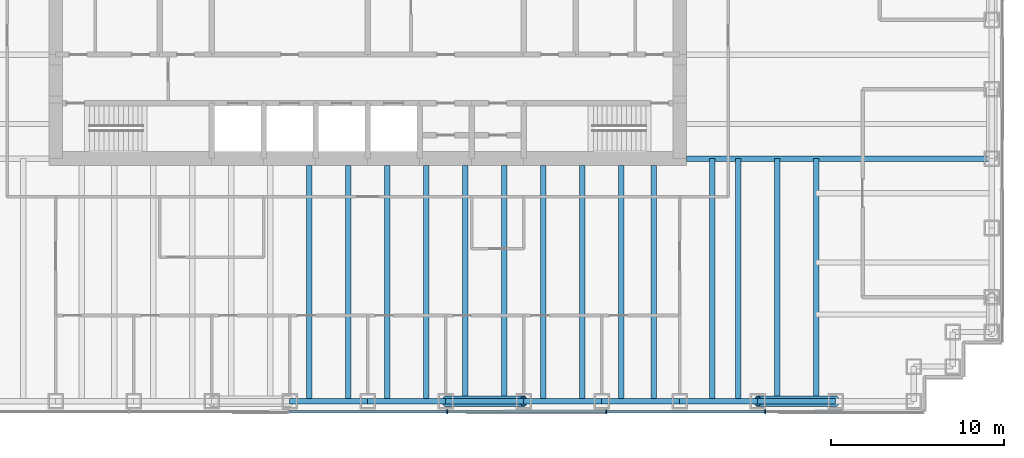
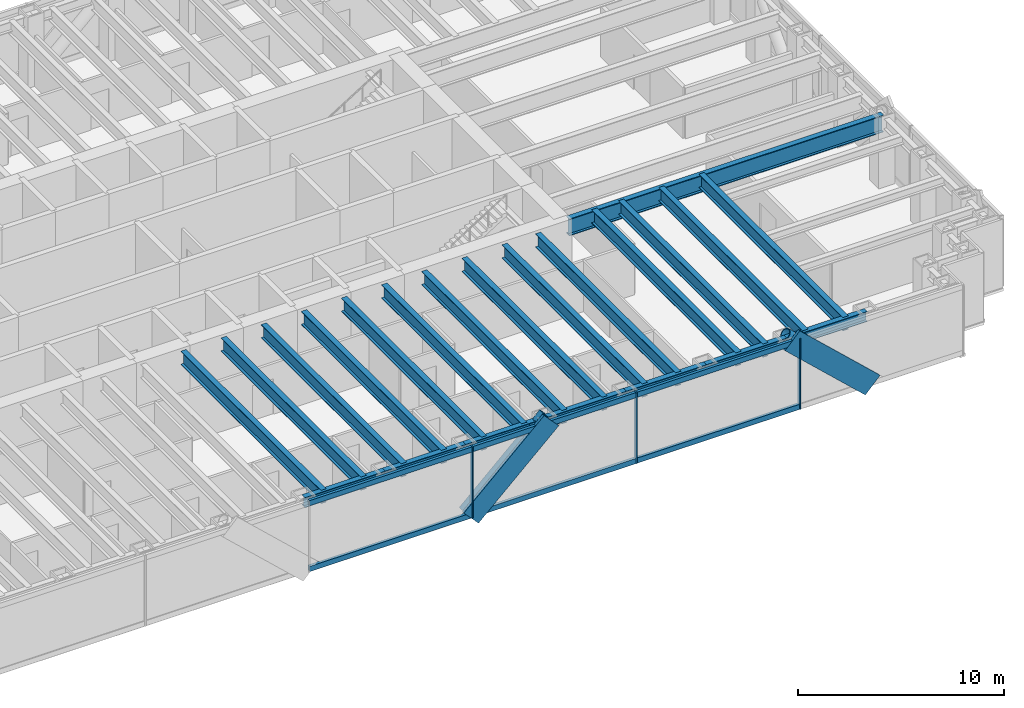
# One storey, part 4 of 16: 22 beams, 13 members, 1 element without a shape of its own.
"""IFC4 building model written with IfcOpenShell, lengths in metres."""

from ifc_helpers import new_model, si_unit, direction, frame, origin, origin_2d, place, context, subcontext, project, spatial, rectangle, hollow_circle, i_section, extrude, material, material_profile, profile_set, type_object, element, aggregate, save


model = new_model("IFC4")

# Units and contexts
model_context = context("Model", 3, precision=1e-05, world=origin(), true_north=direction((0.0, 1.0)))
body_context = subcontext(model_context, "Body", "Model", "MODEL_VIEW")
ifc_project = project(units=[si_unit("LENGTHUNIT", "METRE"), si_unit("AREAUNIT", "SQUARE_METRE"), si_unit("VOLUMEUNIT", "CUBIC_METRE"), si_unit("PLANEANGLEUNIT", "RADIAN"), si_unit("MASSUNIT", "GRAM", prefix="KILO")], contexts=[model_context])

# Site, building, storey
site_placement = place(None, origin())
site = spatial("IfcSite", under=ifc_project, at=site_placement, CompositionType="ELEMENT")
building_placement = place(site_placement, origin())
building = spatial("IfcBuilding", under=site, at=building_placement, Name="Rheinbord Bourse Tower", CompositionType="ELEMENT")
storey_placement = place(building_placement, frame((0.0, 0.0, 219.39990234375)))
storey = spatial("IfcBuildingStorey", under=building, at=storey_placement, Name="L49", CompositionType="ELEMENT", Elevation=219.39990234375)

# Curtain wall, members
ifc_material_1 = material(Name="Dark glass and black aluminium", Category="aluminium")
curtain_wall_type = type_object("IfcCurtainWallType", Name="CW2 DARK GLASS CURTAIN WALL", PredefinedType="USERDEFINED", material=ifc_material_1)
curtain_wall_placement = place(storey_placement, origin())
curtain_wall = element("IfcCurtainWall", 1, at=curtain_wall_placement, inside=storey, type_object=curtain_wall_type, Name="Curtain wall CW2 S L49", ObjectType="UNITISED CURTAIN WALL", PredefinedType="USERDEFINED")
ifc_material_2 = material(Name="Black anodised aluminium", Category="aluminium")
ifc_material_profile_1 = material_profile(ifc_material_2, rectangle(XDim=0.159912109375, YDim=1.2099609375, at=origin_2d()), Name="CW2 DIAGONAL MULLION 1210x160")
ifc_profile_set_1 = profile_set([ifc_material_profile_1], Name="Black anodised aluminium")
member_type_1 = type_object("IfcMemberType", Name="CW2 BLACK DIAGONAL MULLION", PredefinedType="USERDEFINED", material=ifc_profile_set_1)
member_1_placement = place(storey_placement, frame((40.5, 1.39990234375, 0.0), z_axis=(0.731039441158, 0.0, 0.682335207557), x_axis=(0.0, 1.0, 0.0)))
member_1 = element("IfcMember", 2, at=member_1_placement, type_object=member_type_1, Name="CW2 diagonal mullion b", ObjectType="DIAGONAL MULLION", PredefinedType="USERDEFINED", context=body_context, shape_type="SweptSolid", body=[
    extrude(rectangle(XDim=0.159912109375, YDim=1.2099609375, at=origin_2d()), origin(), (0.0, 0.0, 1.0), 6.155517578125),
])
member_2_placement = place(storey_placement, frame((63.0, 1.39990234375, 0.0), z_axis=(-0.731039441158, 0.0, 0.682335207557), x_axis=(0.0, -1.0, 0.0)))
member_2 = element("IfcMember", 3, at=member_2_placement, type_object=member_type_1, Name="CW2 diagonal mullion d", ObjectType="DIAGONAL MULLION", PredefinedType="USERDEFINED", context=body_context, shape_type="SweptSolid", body=[
    extrude(rectangle(XDim=0.159912109375, YDim=1.2099609375, at=origin_2d()), origin(), (0.0, 0.0, 1.0), 6.155517578125),
])
ifc_material_3 = material(Name="Black anodised aluminium", Category="aluminium")
ifc_material_profile_2 = material_profile(ifc_material_3, rectangle(XDim=0.219970703125, YDim=0.070068359375, at=origin_2d()), Name="CW2 MULLION 70x220")
ifc_profile_set_2 = profile_set([ifc_material_profile_2], Name="Black anodised aluminium")
member_type_2 = type_object("IfcMemberType", Name="CW2 BLACK MULLION", PredefinedType="MULLION", material=ifc_profile_set_2)
member_3_placement = place(storey_placement, frame((40.585693359375, 1.39990234375, 0.0), z_axis=(0.0, 0.0, 1.0), x_axis=(0.0, 1.0, 0.0)))
member_3 = element("IfcMember", 4, at=member_3_placement, type_object=member_type_2, Name="CW2 mullion 5", PredefinedType="MULLION", context=body_context, shape_type="SweptSolid", body=[
    extrude(rectangle(XDim=0.219970703125, YDim=0.070068359375, at=origin_2d()), origin(), (0.0, 0.0, 1.0), 4.2001953125),
])
member_4_placement = place(storey_placement, frame((49.757080078125, 1.39990234375, 0.0), z_axis=(0.0, 0.0, 1.0), x_axis=(0.0, 1.0, 0.0)))
member_4 = element("IfcMember", 5, at=member_4_placement, type_object=member_type_2, Name="CW2 mullion 6", PredefinedType="MULLION", context=body_context, shape_type="SweptSolid", body=[
    extrude(rectangle(XDim=0.219970703125, YDim=0.070068359375, at=origin_2d()), origin(), (0.0, 0.0, 1.0), 4.2001953125),
])
member_5_placement = place(storey_placement, frame((58.928466796875, 1.39990234375, 0.0), z_axis=(0.0, 0.0, 1.0), x_axis=(0.0, 1.0, 0.0)))
member_5 = element("IfcMember", 6, at=member_5_placement, type_object=member_type_2, Name="CW2 mullion 7", PredefinedType="MULLION", context=body_context, shape_type="SweptSolid", body=[
    extrude(rectangle(XDim=0.219970703125, YDim=0.070068359375, at=origin_2d()), origin(), (0.0, 0.0, 1.0), 4.2001953125),
])
ifc_material_4 = material(Name="Black anodised aluminium", Category="aluminium")
ifc_material_profile_3 = material_profile(ifc_material_4, rectangle(XDim=0.159912109375, YDim=0.300048828125, at=origin_2d()), Name="CW2 TRANSOM 300x160")
ifc_profile_set_3 = profile_set([ifc_material_profile_3], Name="Black anodised aluminium")
member_type_3 = type_object("IfcMemberType", Name="CW2 BLACK TRANSOM", PredefinedType="USERDEFINED", material=ifc_profile_set_3)
member_6_placement = place(storey_placement, frame((31.44921875, 1.39990234375, 0.150146484375), z_axis=(1.0, 0.0, 0.0), x_axis=(0.0, 1.0, 0.0)))
member_6 = element("IfcMember", 7, at=member_6_placement, type_object=member_type_3, Name="CW2 transom 4.1", ObjectType="TRANSOM", PredefinedType="USERDEFINED", context=body_context, shape_type="SweptSolid", body=[
    extrude(rectangle(XDim=0.159912109375, YDim=0.300048828125, at=origin_2d()), origin(), (0.0, 0.0, 1.0), 9.1015625),
])
member_7_placement = place(storey_placement, frame((31.44921875, 1.39990234375, 4.050048828125), z_axis=(1.0, 0.0, 0.0), x_axis=(0.0, 1.0, 0.0)))
member_7 = element("IfcMember", 8, at=member_7_placement, type_object=member_type_3, Name="CW2 transom 4.2", ObjectType="TRANSOM", PredefinedType="USERDEFINED", context=body_context, shape_type="SweptSolid", body=[
    extrude(rectangle(XDim=0.159912109375, YDim=0.300048828125, at=origin_2d()), origin(), (0.0, 0.0, 1.0), 9.1015625),
])
member_8_placement = place(storey_placement, frame((40.62060546875, 1.39990234375, 0.150146484375), z_axis=(1.0, 0.0, 0.0), x_axis=(0.0, 1.0, 0.0)))
member_8 = element("IfcMember", 9, at=member_8_placement, type_object=member_type_3, Name="CW2 transom 5.1", ObjectType="TRANSOM", PredefinedType="USERDEFINED", context=body_context, shape_type="SweptSolid", body=[
    extrude(rectangle(XDim=0.159912109375, YDim=0.300048828125, at=origin_2d()), origin(), (0.0, 0.0, 1.0), 9.1015625),
])
member_9_placement = place(storey_placement, frame((40.62060546875, 1.39990234375, 4.050048828125), z_axis=(1.0, 0.0, 0.0), x_axis=(0.0, 1.0, 0.0)))
member_9 = element("IfcMember", 10, at=member_9_placement, type_object=member_type_3, Name="CW2 transom 5.2", ObjectType="TRANSOM", PredefinedType="USERDEFINED", context=body_context, shape_type="SweptSolid", body=[
    extrude(rectangle(XDim=0.159912109375, YDim=0.300048828125, at=origin_2d()), origin(), (0.0, 0.0, 1.0), 9.1015625),
])
member_10_placement = place(storey_placement, frame((49.792236328125, 1.39990234375, 0.150146484375), z_axis=(1.0, 0.0, 0.0), x_axis=(0.0, 1.0, 0.0)))
member_10 = element("IfcMember", 11, at=member_10_placement, type_object=member_type_3, Name="CW2 transom 6.1", ObjectType="TRANSOM", PredefinedType="USERDEFINED", context=body_context, shape_type="SweptSolid", body=[
    extrude(rectangle(XDim=0.159912109375, YDim=0.300048828125, at=origin_2d()), origin(), (0.0, 0.0, 1.0), 9.101318359375),
])
member_11_placement = place(storey_placement, frame((49.792236328125, 1.39990234375, 4.050048828125), z_axis=(1.0, 0.0, 0.0), x_axis=(0.0, 1.0, 0.0)))
member_11 = element("IfcMember", 12, at=member_11_placement, type_object=member_type_3, Name="CW2 transom 6.2", ObjectType="TRANSOM", PredefinedType="USERDEFINED", context=body_context, shape_type="SweptSolid", body=[
    extrude(rectangle(XDim=0.159912109375, YDim=0.300048828125, at=origin_2d()), origin(), (0.0, 0.0, 1.0), 9.101318359375),
])
aggregate(curtain_wall, [member_3, member_4, member_5, member_6, member_7, member_8, member_9, member_10, member_11, member_1, member_2])

# Beams
ifc_material_5 = material(Name="Steel S460", Category="steel")
ifc_material_profile_4 = material_profile(ifc_material_5, i_section(OverallWidth=0.300048828125, OverallDepth=0.800048828125, WebThickness=0.017578125, FlangeThickness=0.032958984375, at=origin_2d()), Name="HEB 800")
ifc_profile_set_4 = profile_set([ifc_material_profile_4], Name="Steel S460")
beam_type_1 = type_object("IfcBeamType", Name="FLOOR BEAM HEB 800", PredefinedType="BEAM", material=ifc_profile_set_4)
for number, where, z_axis, x_axis, name in (
    (13, (32.625, 2.0, 3.64013671875), (0.0, 1.0, 0.0), (-1.0, 0.0, 0.0), "Floor beam S-31.5a L50"),
    (14, (34.875, 2.0, 3.64013671875), (0.0, 1.0, 0.0), (-1.0, 0.0, 0.0), "Floor beam S-31.5b L50"),
    (15, (37.125, 2.0, 3.64013671875), (0.0, 1.0, 0.0), (-1.0, 0.0, 0.0), "Floor beam S-36a L50"),
    (16, (39.375, 2.0, 3.64013671875), (0.0, 1.0, 0.0), (-1.0, 0.0, 0.0), "Floor beam S-36b L50"),
    (17, (41.625, 2.0, 3.64013671875), (0.0, 1.0, 0.0), (-1.0, 0.0, 0.0), "Floor beam S-40.5a L50"),
    (18, (43.875, 2.0, 3.64013671875), (0.0, 1.0, 0.0), (-1.0, 0.0, 0.0), "Floor beam S-40.5b L50"),
    (19, (46.125, 2.0, 3.64013671875), (0.0, 1.0, 0.0), (-1.0, 0.0, 0.0), "Floor beam S-45a L50"),
    (20, (48.375, 2.0, 3.64013671875), (0.0, 1.0, 0.0), (-1.0, 0.0, 0.0), "Floor beam S-45b L50"),
    (21, (50.625, 2.0, 3.64013671875), (0.0, 1.0, 0.0), (-1.0, 0.0, 0.0), "Floor beam S-49.5a L50"),
    (22, (52.5, 2.0, 3.64013671875), (0.0, 1.0, 0.0), (-1.0, 0.0, 0.0), "Floor beam S-49.5b L50"),
):
    element("IfcBeam", number, at=place(storey_placement, frame(where, z_axis=z_axis, x_axis=x_axis)), inside=storey, type_object=beam_type_1, Name=name, PredefinedType="BEAM", context=body_context, shape_type="SweptSolid", body=[
        extrude(i_section(OverallWidth=0.300048828125, OverallDepth=0.800048828125, WebThickness=0.017578125, FlangeThickness=0.032958984375, at=origin_2d()), origin(), (0.0, 0.0, 1.0), 13.60009765625),
    ])
for number, where, z_axis, x_axis, name in (
    (23, (55.875, 2.0, 3.64013671875), (0.0, 1.0, 0.0), (-1.0, 0.0, 0.0), "Floor beam S-54a L50"),
    (24, (57.375, 2.0, 3.64013671875), (0.0, 1.0, 0.0), (-1.0, 0.0, 0.0), "Floor beam S-54b L50"),
    (25, (59.625, 2.0, 3.64013671875), (0.0, 1.0, 0.0), (-1.0, 0.0, 0.0), "Floor beam S-58.5a L50"),
    (26, (61.875, 2.0, 3.64013671875), (0.0, 1.0, 0.0), (-1.0, 0.0, 0.0), "Floor beam S-58.5b L50"),
):
    element("IfcBeam", number, at=place(storey_placement, frame(where, z_axis=z_axis, x_axis=x_axis)), inside=storey, type_object=beam_type_1, Name=name, PredefinedType="BEAM", context=body_context, shape_type="SweptSolid", body=[
        extrude(i_section(OverallWidth=0.300048828125, OverallDepth=0.800048828125, WebThickness=0.017578125, FlangeThickness=0.032958984375, at=origin_2d()), origin(), (0.0, 0.0, 1.0), 14.0),
    ])
ifc_material_6 = material(Name="Steel S460", Category="steel")
ifc_material_profile_5 = material_profile(ifc_material_6, i_section(OverallWidth=0.302001953125, OverallDepth=1.008056640625, WebThickness=0.02099609375, FlangeThickness=0.0400390625, at=origin_2d()), Name="HEM 1000")
ifc_profile_set_5 = profile_set([ifc_material_profile_5], Name="Steel S460")
beam_type_2 = type_object("IfcBeamType", Name="GIRDER HEM 1000", PredefinedType="BEAM", material=ifc_profile_set_5)
beam_placement = place(storey_placement, frame((54.39990234375, 16.0, 3.5361328125), z_axis=(1.0, 0.0, 0.0), x_axis=(0.0, 1.0, 0.0)))
element("IfcBeam", 27, at=beam_placement, inside=storey, type_object=beam_type_2, Name="Girder east 16 L50", PredefinedType="BEAM", context=body_context, shape_type="SweptSolid", body=[
    extrude(i_section(OverallWidth=0.302001953125, OverallDepth=1.008056640625, WebThickness=0.02099609375, FlangeThickness=0.0400390625, at=origin_2d()), origin(), (0.0, 0.0, 1.0), 17.60009765625),
])

# Members
ifc_material_7 = material(Name="Steel S460", Category="steel")
ifc_material_profile_6 = material_profile(ifc_material_7, hollow_circle(Radius=0.304931640625, WallThickness=0.0400390625, at=origin_2d()), Name="CHS 610x40")
ifc_profile_set_6 = profile_set([ifc_material_profile_6], Name="Steel S460")
member_type_4 = type_object("IfcMemberType", Name="MEGABRACE CHS 610x40", PredefinedType="BRACE", material=ifc_profile_set_6)
for number, where, z_axis, x_axis, name in (
    (28, (40.5, 2.0, 0.0), (0.731039441158, 0.0, 0.682335207557), (0.0, 1.0, 0.0), "Megabrace S face line b L49"),
    (29, (63.0, 2.0, 0.0), (-0.731039441158, 0.0, 0.682335207557), (0.0, -1.0, 0.0), "Megabrace S face line d L49"),
):
    element("IfcMember", number, at=place(storey_placement, frame(where, z_axis=z_axis, x_axis=x_axis)), inside=storey, type_object=member_type_4, Name=name, PredefinedType="BRACE", context=body_context, shape_type="SweptSolid", body=[
        extrude(hollow_circle(Radius=0.304931640625, WallThickness=0.0400390625, at=origin_2d()), origin(), (0.0, 0.0, 1.0), 6.155517578125),
    ])

# Beams
ifc_material_8 = material(Name="Steel S460", Category="steel")
ifc_material_profile_7 = material_profile(ifc_material_8, i_section(OverallWidth=0.300048828125, OverallDepth=0.60009765625, WebThickness=0.015380859375, FlangeThickness=0.030029296875, at=origin_2d()), Name="HEB 600")
ifc_profile_set_7 = profile_set([ifc_material_profile_7], Name="Steel S460")
beam_type_3 = type_object("IfcBeamType", Name="SPANDREL HEB 600", PredefinedType="SPANDREL", material=ifc_profile_set_7)
for number, where, z_axis, x_axis, name in (
    (30, (31.5, 2.0, 3.739990234375), (1.0, 0.0, 0.0), (0.0, 1.0, 0.0), "Spandrel S-31.5-S-36 under L50"),
    (31, (36.0, 2.0, 3.739990234375), (1.0, 0.0, 0.0), (0.0, 1.0, 0.0), "Spandrel S-36-S-40.5 under L50"),
    (32, (40.5, 2.0, 3.739990234375), (1.0, 0.0, 0.0), (0.0, 1.0, 0.0), "Spandrel S-40.5-S-45 under L50"),
    (33, (45.0, 2.0, 3.739990234375), (1.0, 0.0, 0.0), (0.0, 1.0, 0.0), "Spandrel S-45-S-49.5 under L50"),
    (34, (49.5, 2.0, 3.739990234375), (1.0, 0.0, 0.0), (0.0, 1.0, 0.0), "Spandrel S-49.5-S-54 under L50"),
    (35, (54.0, 2.0, 3.739990234375), (1.0, 0.0, 0.0), (0.0, 1.0, 0.0), "Spandrel S-54-S-58.5 under L50"),
    (36, (58.5, 2.0, 3.739990234375), (1.0, 0.0, 0.0), (0.0, 1.0, 0.0), "Spandrel S-58.5-S-63 under L50"),
):
    element("IfcBeam", number, at=place(storey_placement, frame(where, z_axis=z_axis, x_axis=x_axis)), inside=storey, type_object=beam_type_3, Name=name, PredefinedType="SPANDREL", context=body_context, shape_type="SweptSolid", body=[
        extrude(i_section(OverallWidth=0.300048828125, OverallDepth=0.60009765625, WebThickness=0.015380859375, FlangeThickness=0.030029296875, at=origin_2d()), origin(), (0.0, 0.0, 1.0), 4.5),
    ])

save(model, "model.ifc")
